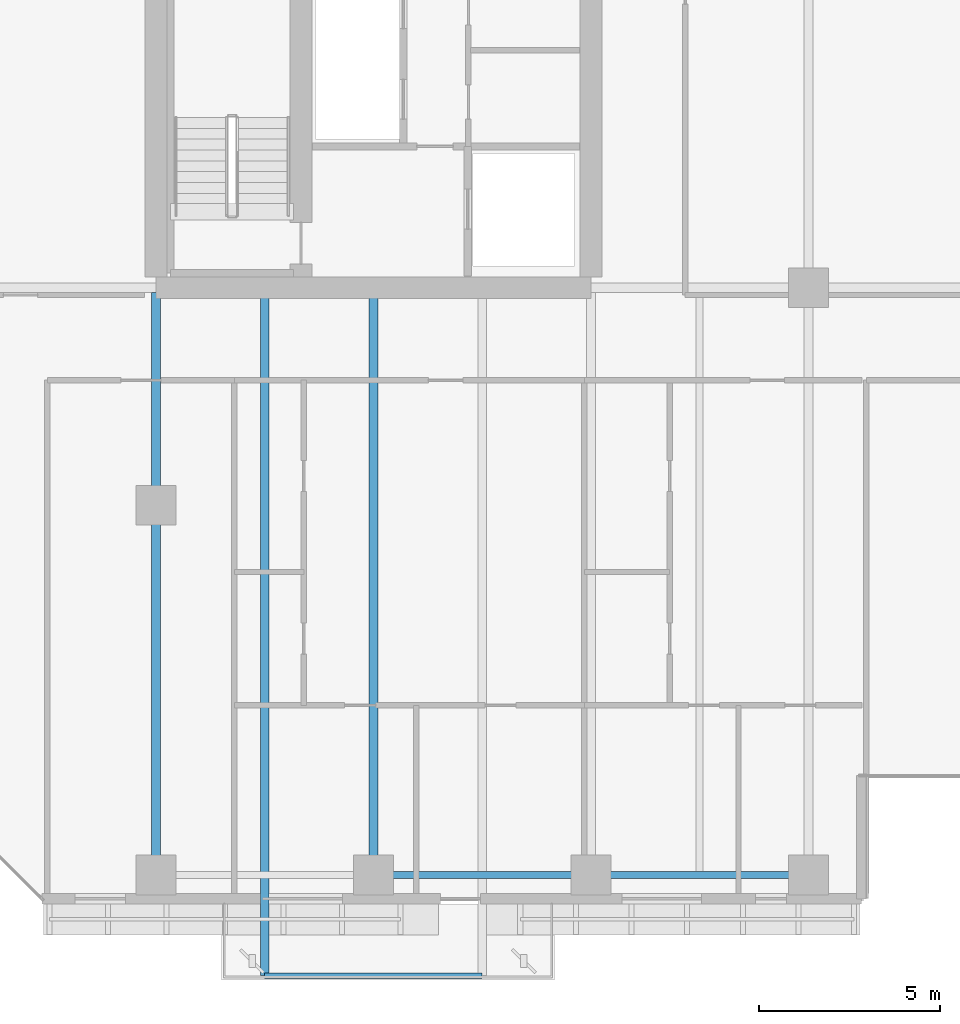
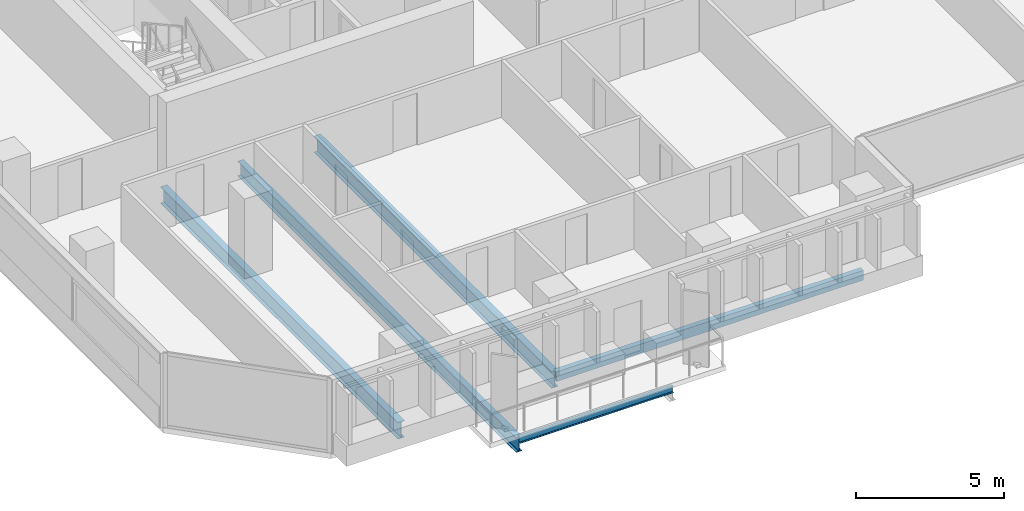
# One storey, part 3 of 34: 6 beams.
"""IFC4 building model written with IfcOpenShell, lengths in metres."""

import ifcopenshell
import ifcopenshell.guid

model = None  # the IFC model being written
_history = None  # IfcOwnerHistory: only IFC2X3 demands one
_inside = {}  # id of a spatial element -> (the spatial element, [elements in it])
_under = {}  # id of a project, library or spatial element -> (it, [spatial elements below it])
_declared = {}  # id of a project -> (the project, [libraries it declares])
_typed = {}  # id of a type object -> (the type object, [elements of that type])
_made_of = {}  # id of a material, layer set ... -> (it, [elements and type objects made of it])


def new_model(schema):
    """Start an empty IFC model of exactly this schema.

    Asked for "IFC4X3", IfcOpenShell would pick the latest addendum, in which some entities
    have other attributes; the version numbers below select the first issue.
    IFC2X3 requires an IfcOwnerHistory on every rooted entity: one is made here for all.
    """
    global model, _history
    if schema == "IFC4X3":
        model = ifcopenshell.file(schema_version=(4, 3, 0, 0))
    else:
        model = ifcopenshell.file(schema=schema)
    _inside.clear()
    _under.clear()
    _declared.clear()
    _typed.clear()
    _made_of.clear()
    _history = None
    if model.schema == "IFC2X3":
        org = make("IfcOrganization", Name="unknown")
        user = make(
            "IfcPersonAndOrganization",
            ThePerson=make("IfcPerson", FamilyName="unknown"),
            TheOrganization=org,
        )
        app = make(
            "IfcApplication",
            ApplicationDeveloper=org,
            Version="unknown",
            ApplicationFullName="unknown",
            ApplicationIdentifier="unknown",
        )
        _history = make(
            "IfcOwnerHistory",
            OwningUser=user,
            OwningApplication=app,
            ChangeAction="ADDED",
            CreationDate=0,
        )
    return model


def make(cls, **values):
    """One entity of the class cls with the attributes given. An attribute that is None is left unset."""
    return model.create_entity(
        cls, **{name: value for name, value in values.items() if value is not None}
    )


def rooted(cls, **values):
    """An entity with a GlobalId (a new one), such as an element, a storey or a relation."""
    return make(cls, GlobalId=ifcopenshell.guid.new(), OwnerHistory=_history, **values)


def si_unit(unit_type, name, prefix=None):
    """IfcSIUnit, for example si_unit("LENGTHUNIT", "METRE", prefix="MILLI")."""
    return make("IfcSIUnit", UnitType=unit_type, Prefix=prefix, Name=name)


def assignment(units):
    """IfcUnitAssignment: the units of a project."""
    return None if units is None else make("IfcUnitAssignment", Units=units)


def point(xyz):
    """IfcCartesianPoint."""
    return None if xyz is None else make("IfcCartesianPoint", Coordinates=xyz)


def direction(xyz):
    """IfcDirection."""
    return None if xyz is None else make("IfcDirection", DirectionRatios=xyz)


def frame(location, z_axis=None, x_axis=None):
    """IfcAxis2Placement3D, a coordinate frame: its origin and axes. An axis left out is left unset."""
    return make(
        "IfcAxis2Placement3D",
        Location=point(location),
        Axis=direction(z_axis),
        RefDirection=direction(x_axis),
    )


def frame_2d(location, x_axis=None):
    """IfcAxis2Placement2D, a coordinate frame in the plane: its origin and x axis."""
    return make(
        "IfcAxis2Placement2D", Location=point(location), RefDirection=direction(x_axis)
    )


def origin():
    """The frame at (0, 0, 0) with its axes left unset."""
    return frame((0.0, 0.0, 0.0))


def origin_2d():
    """The frame at (0, 0) in the plane with its x axis left unset."""
    return frame_2d((0.0, 0.0))


def place(relative_to, where):
    """IfcLocalPlacement: puts the frame where relative to a parent placement (None: the world)."""
    return make(
        "IfcLocalPlacement", PlacementRelTo=relative_to, RelativePlacement=where
    )


def context(
    kind, dimensions, precision=None, world=None, true_north=None, identifier=None
):
    """IfcGeometricRepresentationContext, for example the 3D "Model" context."""
    return make(
        "IfcGeometricRepresentationContext",
        ContextIdentifier=identifier,
        ContextType=kind,
        CoordinateSpaceDimension=dimensions,
        Precision=precision,
        WorldCoordinateSystem=world,
        TrueNorth=true_north,
    )


def subcontext(parent, identifier, kind, view, scale=None):
    """IfcGeometricRepresentationSubContext, for example "Body" below "Model"."""
    return make(
        "IfcGeometricRepresentationSubContext",
        ContextIdentifier=identifier,
        ContextType=kind,
        ParentContext=parent,
        TargetScale=scale,
        TargetView=view,
    )


def project(units=None, contexts=None):
    """IfcProject with its units and contexts."""
    return rooted(
        "IfcProject",
        Name="project",
        RepresentationContexts=contexts,
        UnitsInContext=assignment(units),
    )


def spatial(cls, under=None, at=None, **own):
    """A site, building, storey or space (cls), placed at a placement, below another one or the project."""
    s = rooted(cls, ObjectPlacement=at, **own)
    if under is not None:
        _under.setdefault(under.id(), (under, []))[1].append(s)
    return s


def profile(cls, at=None, kind="AREA", **sizes):
    """A parametric profile (cls). Its sizes go by their IFC names, for example OverallWidth=200.0."""
    return make(cls, ProfileType=kind, Position=at, **sizes)


def hollow_rectangle(**sizes):
    """IfcRectangleHollowProfileDef."""
    return profile("IfcRectangleHollowProfileDef", **sizes)


def i_section(**sizes):
    """IfcIShapeProfileDef."""
    return profile("IfcIShapeProfileDef", **sizes)


def extrude(swept, where, along, depth):
    """IfcExtrudedAreaSolid: the profile swept, set in the frame where, extruded along a direction by depth."""
    return make(
        "IfcExtrudedAreaSolid",
        SweptArea=swept,
        Position=where,
        ExtrudedDirection=direction(along),
        Depth=depth,
    )


def shape(context_of_items, identifier, shape_type, items):
    """IfcShapeRepresentation: the items that make up one representation, for example the "Body"."""
    return make(
        "IfcShapeRepresentation",
        ContextOfItems=context_of_items,
        RepresentationIdentifier=identifier,
        RepresentationType=shape_type,
        Items=items,
    )


def material(Name=None, Category=None):
    """IfcMaterial."""
    return make("IfcMaterial", Name=Name, Category=Category)


def material_profile(
    of_material, cross_section, Name=None, Category=None, Priority=None
):
    """IfcMaterialProfile: a cross section and its material."""
    return make(
        "IfcMaterialProfile",
        Name=Name,
        Material=of_material,
        Profile=cross_section,
        Priority=Priority,
        Category=Category,
    )


def profile_set(profiles, Name=None, composite=None):
    """IfcMaterialProfileSet."""
    return make(
        "IfcMaterialProfileSet",
        Name=Name,
        MaterialProfiles=profiles,
        CompositeProfile=composite,
    )


def made_of(thing, what):
    """Note that an element or type object is made of a material, layer set ...; save() writes the relation."""
    if what is not None:
        _made_of.setdefault(what.id(), (what, []))[1].append(thing)
    return thing


def type_object(cls, material=None, **own):
    """A type object (cls), such as IfcWallType, which elements share."""
    return made_of(rooted(cls, **own), material)


def element(
    cls,
    number,
    at=None,
    inside=None,
    cuts=None,
    type_object=None,
    material=None,
    context=None,
    identifier="Body",
    shape_type=None,
    held_by="IfcProductDefinitionShape",
    body=None,
    shapes=None,
    **own,
):
    """One element of the class cls, such as IfcWall. Its Tag is "e" and its number.

    at: its placement. inside: the storey or other place that contains it. cuts: it is an
    opening in that element (IfcRelVoidsElement). A single representation is given by context,
    identifier, shape_type and body (its items); several are given by shapes. held_by: the class
    of the entity that holds the representations. save() writes the other relations.
    """
    e = rooted(cls, Tag="e%d" % number, ObjectPlacement=at, **own)
    if body is not None:
        shapes = [shape(context, identifier, shape_type, body)]
    if shapes is not None:
        e.Representation = make(held_by, Representations=shapes)
    if inside is not None:
        _inside.setdefault(inside.id(), (inside, []))[1].append(e)
    if cuts is not None:
        rooted(
            "IfcRelVoidsElement", RelatingBuildingElement=cuts, RelatedOpeningElement=e
        )
    if type_object is not None:
        _typed.setdefault(type_object.id(), (type_object, []))[1].append(e)
    return made_of(e, material)


def aggregate(whole, parts):
    """IfcRelAggregates: a whole, such as a stair, and the parts it consists of."""
    return rooted("IfcRelAggregates", RelatingObject=whole, RelatedObjects=parts)


def save(model, path):
    """Write the relations noted so far, then the file.

    IfcRelAggregates (storeys below a building ...), IfcRelContainedInSpatialStructure (elements
    in a storey), IfcRelDefinesByType, IfcRelAssociatesMaterial and IfcRelDeclares: one each for
    every whole, place, type object, material and project.
    """
    for whole, parts in _under.values():
        aggregate(whole, parts)
    for where, things in _inside.values():
        rooted(
            "IfcRelContainedInSpatialStructure",
            RelatedElements=things,
            RelatingStructure=where,
        )
    for kind, things in _typed.values():
        rooted("IfcRelDefinesByType", RelatedObjects=things, RelatingType=kind)
    for what, things in _made_of.values():
        rooted("IfcRelAssociatesMaterial", RelatedObjects=things, RelatingMaterial=what)
    for by, libraries in _declared.values():
        rooted("IfcRelDeclares", RelatingContext=by, RelatedDefinitions=libraries)
    model.write(path)


model = new_model("IFC4")

# Units and contexts
model_context = context("Model", 3, precision=1e-05, world=origin(), true_north=direction((0.0, 1.0)))
body_context = subcontext(model_context, "Body", "Model", "MODEL_VIEW")
ifc_project = project(units=[si_unit("LENGTHUNIT", "METRE"), si_unit("AREAUNIT", "SQUARE_METRE"), si_unit("VOLUMEUNIT", "CUBIC_METRE"), si_unit("PLANEANGLEUNIT", "RADIAN"), si_unit("MASSUNIT", "GRAM", prefix="KILO")], contexts=[model_context])

# Site, building, storey
site_placement = place(None, origin())
site = spatial("IfcSite", under=ifc_project, at=site_placement, CompositionType="ELEMENT")
building_placement = place(site_placement, origin())
building = spatial("IfcBuilding", under=site, at=building_placement, Name="Tanjung Sevakor Pilgrim Tower", CompositionType="ELEMENT")
storey_placement = place(building_placement, frame((0.0, 0.0, 55.43994140625)))
storey = spatial("IfcBuildingStorey", under=building, at=storey_placement, Name="L15", CompositionType="ELEMENT", Elevation=55.43994140625)

# Beams
ifc_material_1 = material(Name="Steel S355J2", Category="steel")
ifc_material_profile_1 = material_profile(ifc_material_1, i_section(OverallWidth=0.25439453125, OverallDepth=0.6875, WebThickness=0.01318359375, FlangeThickness=0.02099609375, FilletRadius=0.01513671875, at=origin_2d()))
ifc_profile_set_1 = profile_set([ifc_material_profile_1], Name="Steel S355J2")
beam_type_1 = type_object("IfcBeamType", Name="BM-B-G2-UB_686x254x152", PredefinedType="BEAM", material=ifc_profile_set_1)
for number, where, z_axis, x_axis, name in (
    (1, (24.0, 8.39990234375, -0.563720703125), (0.0, 1.0, 0.0), (-1.0, 0.0, 0.0), "L15 MAIN Girder 001"),
    (2, (30.0, 8.39990234375, -0.563720703125), (0.0, 1.0, 0.0), (-1.0, 0.0, 0.0), "L15 MAIN Girder 003"),
):
    element("IfcBeam", number, at=place(storey_placement, frame(where, z_axis=z_axis, x_axis=x_axis)), inside=storey, type_object=beam_type_1, Name=name, PredefinedType="BEAM", context=body_context, shape_type="SweptSolid", body=[
        extrude(i_section(OverallWidth=0.25439453125, OverallDepth=0.6875, WebThickness=0.01318359375, FlangeThickness=0.02099609375, FilletRadius=0.01513671875, at=origin_2d()), origin(), (0.0, 0.0, 1.0), 16.066162109375),
    ])
ifc_material_2 = material(Name="Steel S355J2", Category="steel")
ifc_material_profile_2 = material_profile(ifc_material_2, i_section(OverallWidth=0.22900390625, OverallDepth=0.6123046875, WebThickness=0.011962890625, FlangeThickness=0.01953125, FilletRadius=0.0126953125, at=origin_2d()))
ifc_profile_set_2 = profile_set([ifc_material_profile_2], Name="Steel S355J2")
beam_type_2 = type_object("IfcBeamType", Name="BM-B-G4-UB_610x229x125", PredefinedType="BEAM", material=ifc_profile_set_2)
beam_1_placement = place(storey_placement, frame((27.0, 24.466064453125, -0.526123046875), z_axis=(0.0, -1.0, 0.0), x_axis=(1.0, 0.0, 0.0)))
element("IfcBeam", 3, at=beam_1_placement, inside=storey, type_object=beam_type_2, Name="L15 Balcony Cantilever Beam MAIN-S1-1", PredefinedType="BEAM", context=body_context, shape_type="SweptSolid", body=[
    extrude(i_section(OverallWidth=0.22900390625, OverallDepth=0.6123046875, WebThickness=0.011962890625, FlangeThickness=0.01953125, FilletRadius=0.0126953125, at=origin_2d()), origin(), (0.0, 0.0, 1.0), 18.845947265625),
])
ifc_material_3 = material(Name="Steel S355J2", Category="steel")
ifc_material_profile_3 = material_profile(ifc_material_3, i_section(OverallWidth=0.146484375, OverallDepth=0.256103515625, WebThickness=0.00634765625, FlangeThickness=0.010986328125, FilletRadius=0.007568359375, at=origin_2d()))
ifc_profile_set_3 = profile_set([ifc_material_profile_3], Name="Steel S355J2")
beam_type_3 = type_object("IfcBeamType", Name="BM-B-J6-UB_254x146x37", PredefinedType="JOIST", material=ifc_profile_set_3)
beam_2_placement = place(storey_placement, frame((27.0, 5.6201171875, -0.327880859375), z_axis=(1.0, 0.0, 0.0), x_axis=(0.0, 1.0, 0.0)))
element("IfcBeam", 4, at=beam_2_placement, inside=storey, type_object=beam_type_3, Name="L15 Balcony Rim Tie MAIN-S1", PredefinedType="JOIST", context=body_context, shape_type="SweptSolid", body=[
    extrude(i_section(OverallWidth=0.146484375, OverallDepth=0.256103515625, WebThickness=0.00634765625, FlangeThickness=0.010986328125, FilletRadius=0.007568359375, at=origin_2d()), origin(), (0.0, 0.0, 1.0), 6.0),
])
ifc_material_4 = material(Name="Steel S355J2", Category="steel")
ifc_material_profile_4 = material_profile(ifc_material_4, hollow_rectangle(XDim=0.199951171875, YDim=0.39990234375, WallThickness=0.01611328125, at=origin_2d()))
ifc_profile_set_4 = profile_set([ifc_material_profile_4], Name="Steel S355J2")
beam_type_4 = type_object("IfcBeamType", Name="BM-B-SP2-RHS_400x200x16", PredefinedType="SPANDREL", material=ifc_profile_set_4)
for number, where, z_axis, x_axis, name in (
    (5, (30.0, 8.39990234375, -0.419921875), (1.0, 0.0, 0.0), (0.0, 1.0, 0.0), "L15 Spandrel MAIN S-03"),
    (6, (36.0, 8.39990234375, -0.419921875), (1.0, 0.0, 0.0), (0.0, 1.0, 0.0), "L15 Spandrel MAIN S-05"),
):
    element("IfcBeam", number, at=place(storey_placement, frame(where, z_axis=z_axis, x_axis=x_axis)), inside=storey, type_object=beam_type_4, Name=name, PredefinedType="SPANDREL", context=body_context, shape_type="SweptSolid", body=[
        extrude(hollow_rectangle(XDim=0.199951171875, YDim=0.39990234375, WallThickness=0.01611328125, at=origin_2d()), origin(), (0.0, 0.0, 1.0), 6.0),
    ])

save(model, "model.ifc")
